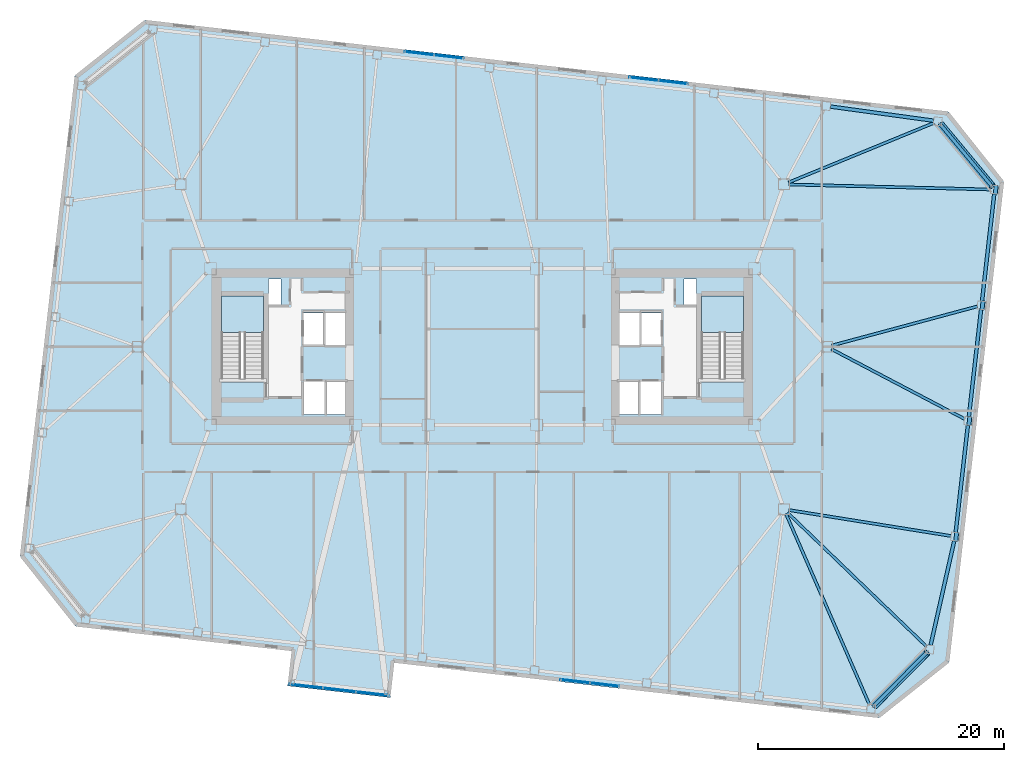
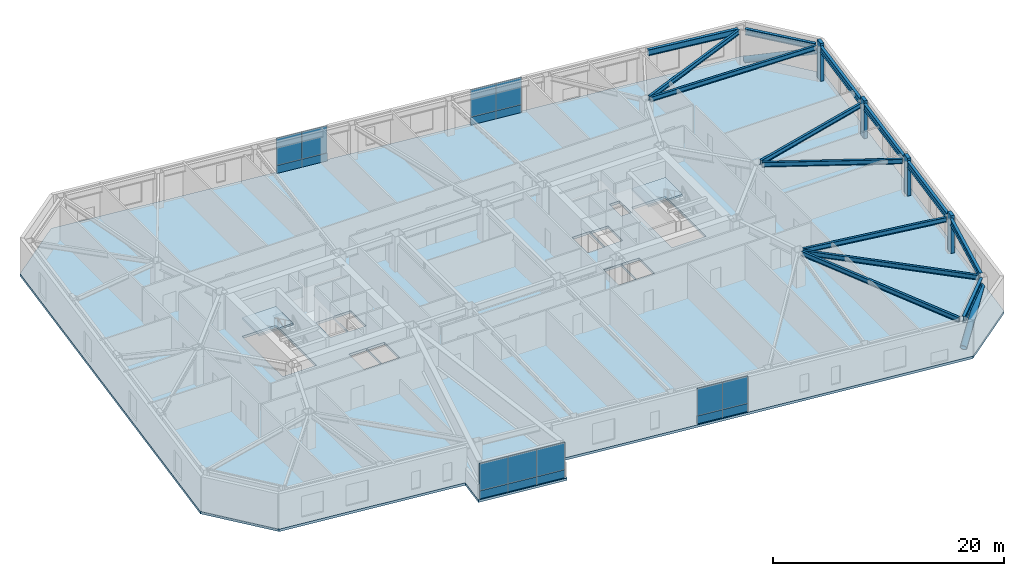
# One storey, part 11 of 22: 18 plates, 14 beams, 6 members, 3 slabs, 6 elements without a shape of their own.
"""IFC4 building model written with IfcOpenShell, lengths in metres."""

from ifc_helpers import new_model, si_unit, direction, frame, origin, origin_2d, place, context, subcontext, project, spatial, polyline, rectangle, hollow_circle, i_section, outline, extrude, material, layer, layer_set, material_profile, profile_set, type_object, element, aggregate, save


model = new_model("IFC4")

# Units and contexts
model_context = context("Model", 3, precision=1e-05, world=origin(), true_north=direction((0.0, 1.0)))
body_context = subcontext(model_context, "Body", "Model", "MODEL_VIEW")
ifc_project = project(units=[si_unit("LENGTHUNIT", "METRE"), si_unit("AREAUNIT", "SQUARE_METRE"), si_unit("VOLUMEUNIT", "CUBIC_METRE"), si_unit("PLANEANGLEUNIT", "RADIAN"), si_unit("MASSUNIT", "GRAM", prefix="KILO")], contexts=[model_context])

# Site, building, storey
site_placement = place(None, origin())
site = spatial("IfcSite", under=ifc_project, at=site_placement, CompositionType="ELEMENT")
building_placement = place(site_placement, origin())
building = spatial("IfcBuilding", under=site, at=building_placement, Name="Tavrogorsk Clinical Tower", CompositionType="ELEMENT")
storey_placement = place(building_placement, frame((0.0, 0.0, 93.39990234375)))
storey = spatial("IfcBuildingStorey", under=building, at=storey_placement, Name="L20", CompositionType="ELEMENT", Elevation=93.39990234375)

# Members
ifc_material_1 = material(Name="Structural steel S440", Category="steel")
ifc_material_profile_1 = material_profile(ifc_material_1, hollow_circle(Radius=0.304931640625, WallThickness=0.02490234375, at=origin_2d()), Name="CHS-610x25")
ifc_profile_set_1 = profile_set([ifc_material_profile_1], Name="Structural steel S440")
member_type_1 = type_object("IfcMemberType", Name="ExoBrace_CHS610", PredefinedType="BRACE", material=ifc_profile_set_1)
member_1_placement = place(storey_placement, frame((31.81640625, -29.1650390625, 0.4345703125), z_axis=(0.651430241483, 0.659222469252, 0.375585378463), x_axis=(-0.711298174517, 0.702890394677, 0.0)))
element("IfcMember", 1, at=member_1_placement, inside=storey, type_object=member_type_1, Name="L20 Corner Exoskeleton Brace S8-E1", PredefinedType="BRACE", context=body_context, shape_type="SweptSolid", body=[
    extrude(hollow_circle(Radius=0.304931640625, WallThickness=0.02490234375, at=origin_2d()), origin(), (0.0, 0.0, 1.0), 6.57958984375),
])
member_2_placement = place(storey_placement, frame((37.2109375, 18.06640625, 0.427001953125), z_axis=(0.598616328588, -0.718269947263, 0.354607915882), x_axis=(0.768190751014, 0.640221032189, 0.0)))
element("IfcMember", 2, at=member_2_placement, inside=storey, type_object=member_type_1, Name="L20 Corner Exoskeleton Brace E5-N1", PredefinedType="BRACE", context=body_context, shape_type="SweptSolid", body=[
    extrude(hollow_circle(Radius=0.304931640625, WallThickness=0.02490234375, at=origin_2d()), origin(), (0.0, 0.0, 1.0), 7.0107421875),
])

# Beams
ifc_material_2 = material(Name="Structural steel S355", Category="steel")
ifc_material_profile_2 = material_profile(ifc_material_2, i_section(OverallWidth=0.219970703125, OverallDepth=0.5, WebThickness=0.012939453125, FlangeThickness=0.02001953125, at=origin_2d()), Name="B-500x220x13x20")
ifc_profile_set_2 = profile_set([ifc_material_profile_2], Name="Structural steel S355")
beam_type_1 = type_object("IfcBeamType", Name="FloorBeam_B500", PredefinedType="BEAM", material=ifc_profile_set_2)
beam_1_placement = place(storey_placement, frame((24.664306640625, -13.57568359375, 3.489990234375), z_axis=(0.400586354613, -0.916259009504, 0.0), x_axis=(0.916259009504, 0.400586354613, 0.0)))
element("IfcBeam", 3, at=beam_1_placement, inside=storey, type_object=beam_type_1, Name="L20 Radial Floor Beam S8", PredefinedType="BEAM", context=body_context, shape_type="SweptSolid", body=[
    extrude(i_section(OverallWidth=0.219970703125, OverallDepth=0.5, WebThickness=0.012939453125, FlangeThickness=0.02001953125, at=origin_2d()), origin(), (0.0, 0.0, 1.0), 16.91357421875),
])
beam_2_placement = place(storey_placement, frame((24.87939453125, 13.35546875, 3.489990234375), z_axis=(0.925250223374, 0.379357383143, 0.0), x_axis=(-0.379357383143, 0.925250223374, 0.0)))
element("IfcBeam", 4, at=beam_2_placement, inside=storey, type_object=beam_type_1, Name="L20 Radial Floor Beam N1", PredefinedType="BEAM", context=body_context, shape_type="SweptSolid", body=[
    extrude(i_section(OverallWidth=0.219970703125, OverallDepth=0.5, WebThickness=0.012939453125, FlangeThickness=0.02001953125, at=origin_2d()), origin(), (0.0, 0.0, 1.0), 12.738037109375),
])
beam_3_placement = place(storey_placement, frame((24.79541015625, -13.484375, 3.489990234375), z_axis=(0.720494740362, -0.693460401977, 0.0), x_axis=(0.693460401977, 0.720494740362, 0.0)))
element("IfcBeam", 5, at=beam_3_placement, inside=storey, type_object=beam_type_1, Name="L20 Radial Floor Beam E1", PredefinedType="BEAM", context=body_context, shape_type="SweptSolid", body=[
    extrude(i_section(OverallWidth=0.219970703125, OverallDepth=0.5, WebThickness=0.012939453125, FlangeThickness=0.02001953125, at=origin_2d()), origin(), (0.0, 0.0, 1.0), 15.659423828125),
])
beam_4_placement = place(storey_placement, frame((24.90478515625, -13.2646484375, 3.489990234375), z_axis=(0.987456527754, -0.157891120067, 0.0), x_axis=(0.157891120067, 0.987456527754, 0.0)))
element("IfcBeam", 6, at=beam_4_placement, inside=storey, type_object=beam_type_1, Name="L20 Radial Floor Beam E2", PredefinedType="BEAM", context=body_context, shape_type="SweptSolid", body=[
    extrude(i_section(OverallWidth=0.219970703125, OverallDepth=0.5, WebThickness=0.012939453125, FlangeThickness=0.02001953125, at=origin_2d()), origin(), (0.0, 0.0, 1.0), 13.31787109375),
])
beam_5_placement = place(storey_placement, frame((28.363037109375, -0.1904296875, 3.489990234375), z_axis=(0.885467298335, -0.464701693111, 0.0), x_axis=(0.464701693111, 0.885467298335, 0.0)))
element("IfcBeam", 7, at=beam_5_placement, inside=storey, type_object=beam_type_1, Name="L20 Radial Floor Beam E3", PredefinedType="BEAM", context=body_context, shape_type="SweptSolid", body=[
    extrude(i_section(OverallWidth=0.219970703125, OverallDepth=0.5, WebThickness=0.012939453125, FlangeThickness=0.02001953125, at=origin_2d()), origin(), (0.0, 0.0, 1.0), 12.197021484375),
])
beam_6_placement = place(storey_placement, frame((28.39599609375, 0.1064453125, 3.489990234375), z_axis=(0.965705720144, 0.259639099677, 0.0), x_axis=(-0.259639099677, 0.965705720144, 0.0)))
element("IfcBeam", 8, at=beam_6_placement, inside=storey, type_object=beam_type_1, Name="L20 Radial Floor Beam E4", PredefinedType="BEAM", context=body_context, shape_type="SweptSolid", body=[
    extrude(i_section(OverallWidth=0.219970703125, OverallDepth=0.5, WebThickness=0.012939453125, FlangeThickness=0.02001953125, at=origin_2d()), origin(), (0.0, 0.0, 1.0), 12.228759765625),
])
beam_7_placement = place(storey_placement, frame((24.909912109375, 13.189697265625, 3.489990234375), z_axis=(0.999690121031, -0.024893009314, 0.0), x_axis=(0.024893009314, 0.999690121031, 0.0)))
element("IfcBeam", 9, at=beam_7_placement, inside=storey, type_object=beam_type_1, Name="L20 Radial Floor Beam E5", PredefinedType="BEAM", context=body_context, shape_type="SweptSolid", body=[
    extrude(i_section(OverallWidth=0.219970703125, OverallDepth=0.5, WebThickness=0.012939453125, FlangeThickness=0.02001953125, at=origin_2d()), origin(), (0.0, 0.0, 1.0), 16.359130859375),
])

# Members
ifc_material_3 = material(Name="Precast concrete B45 with limestone cladding", Category="masonry")
ifc_material_profile_3 = material_profile(ifc_material_3, rectangle(XDim=0.320068359375, YDim=0.719970703125, at=origin_2d()), Name="LIMESTONE-FIN-320x720")
ifc_profile_set_3 = profile_set([ifc_material_profile_3], Name="Precast concrete B45 with limestone cladding")
member_type_2 = type_object("IfcMemberType", Name="LimestonePleatFin_320x720", PredefinedType="USERDEFINED", material=ifc_profile_set_3)
for number, where, z_axis, x_axis, name in (
    (10, (38.48876953125, -15.432861328125, 0.0), (0.0, 0.0, 1.0), (0.993571855677, -0.113203213768, 0.0), "L20 E Pleated Stone Fin 1"),
    (11, (39.5595703125, -6.03369140625, 0.0), (0.0, 0.0, 1.0), (0.993571855677, -0.113203213768, 0.0), "L20 E Pleated Stone Fin 2"),
    (12, (40.63037109375, 3.365234375, 0.0), (0.0, 0.0, 1.0), (0.993571855677, -0.113203213768, 0.0), "L20 E Pleated Stone Fin 3"),
    (13, (41.701416015625, 12.7646484375, 0.0), (0.0, 0.0, 1.0), (0.993571855677, -0.113203213768, 0.0), "L20 E Pleated Stone Fin 4"),
):
    element("IfcMember", number, at=place(storey_placement, frame(where, z_axis=z_axis, x_axis=x_axis)), inside=storey, type_object=member_type_2, Name=name, ObjectType="FIN", PredefinedType="USERDEFINED", context=body_context, shape_type="SweptSolid", body=[
        extrude(rectangle(XDim=0.320068359375, YDim=0.719970703125, at=origin_2d()), origin(), (0.0, 0.0, 1.0), 4.0),
    ])

# Beams
ifc_material_4 = material(Name="Structural steel S390", Category="steel")
ifc_material_profile_4 = material_profile(ifc_material_4, i_section(OverallWidth=0.280029296875, OverallDepth=0.64990234375, WebThickness=0.01611328125, FlangeThickness=0.02490234375, at=origin_2d()), Name="B-650x280x16x25")
ifc_profile_set_4 = profile_set([ifc_material_profile_4], Name="Structural steel S390")
beam_type_2 = type_object("IfcBeamType", Name="SpandrelBeam_B650", PredefinedType="SPANDREL", material=ifc_profile_set_4)
beam_8_placement = place(storey_placement, frame((31.834716796875, -29.146240234375, 3.4150390625), z_axis=(0.702934929184, 0.711254163667, 0.0), x_axis=(-0.711254163667, 0.702934929184, 0.0)))
element("IfcBeam", 14, at=beam_8_placement, inside=storey, type_object=beam_type_2, Name="L20 Perimeter Spandrel S8-E1", PredefinedType="SPANDREL", context=body_context, shape_type="SweptSolid", body=[
    extrude(i_section(OverallWidth=0.280029296875, OverallDepth=0.64990234375, WebThickness=0.01611328125, FlangeThickness=0.02490234375, at=origin_2d()), origin(), (0.0, 0.0, 1.0), 6.04541015625),
])
beam_9_placement = place(storey_placement, frame((36.414794921875, -24.242431640625, 3.4150390625), z_axis=(0.220602599501, 0.975363774749, 0.0), x_axis=(-0.975363774749, 0.220602599501, 0.0)))
element("IfcBeam", 15, at=beam_9_placement, inside=storey, type_object=beam_type_2, Name="L20 Perimeter Spandrel E1-E2", PredefinedType="SPANDREL", context=body_context, shape_type="SweptSolid", body=[
    extrude(i_section(OverallWidth=0.280029296875, OverallDepth=0.64990234375, WebThickness=0.01611328125, FlangeThickness=0.02490234375, at=origin_2d()), origin(), (0.0, 0.0, 1.0), 8.68310546875),
])
for number, where, z_axis, x_axis, name in (
    (16, (38.44970703125, -15.068115234375, 3.4150390625), (0.113192226434, 0.993573107464, 0.0), (-0.993573107464, 0.113192226434, 0.0), "L20 Perimeter Spandrel E2-E3"),
    (17, (39.520751953125, -5.6689453125, 3.4150390625), (0.113192226434, 0.993573107464, 0.0), (-0.993573107464, 0.113192226434, 0.0), "L20 Perimeter Spandrel E3-E4"),
):
    element("IfcBeam", number, at=place(storey_placement, frame(where, z_axis=z_axis, x_axis=x_axis)), inside=storey, type_object=beam_type_2, Name=name, PredefinedType="SPANDREL", context=body_context, shape_type="SweptSolid", body=[
        extrude(i_section(OverallWidth=0.280029296875, OverallDepth=0.64990234375, WebThickness=0.01611328125, FlangeThickness=0.02490234375, at=origin_2d()), origin(), (0.0, 0.0, 1.0), 8.743896484375),
    ])
beam_10_placement = place(storey_placement, frame((40.591552734375, 3.72998046875, 3.4150390625), z_axis=(0.113189086379, 0.993573465188, 0.0), x_axis=(-0.993573465188, 0.113189086379, 0.0)))
element("IfcBeam", 18, at=beam_10_placement, inside=storey, type_object=beam_type_2, Name="L20 Perimeter Spandrel E4-E5", PredefinedType="SPANDREL", context=body_context, shape_type="SweptSolid", body=[
    extrude(i_section(OverallWidth=0.280029296875, OverallDepth=0.64990234375, WebThickness=0.01611328125, FlangeThickness=0.02490234375, at=origin_2d()), origin(), (0.0, 0.0, 1.0), 8.744140625),
])
beam_11_placement = place(storey_placement, frame((41.392578125, 13.048583984375, 3.4150390625), z_axis=(-0.640191778751, 0.768215130299, 0.0), x_axis=(-0.768215130299, -0.640191778751, 0.0)))
element("IfcBeam", 19, at=beam_11_placement, inside=storey, type_object=beam_type_2, Name="L20 Perimeter Spandrel E5-N1", PredefinedType="SPANDREL", context=body_context, shape_type="SweptSolid", body=[
    extrude(i_section(OverallWidth=0.280029296875, OverallDepth=0.64990234375, WebThickness=0.01611328125, FlangeThickness=0.02490234375, at=origin_2d()), origin(), (0.0, 0.0, 1.0), 6.508544921875),
])
beam_12_placement = place(storey_placement, frame((36.641845703125, 18.3720703125, 3.4150390625), z_axis=(-0.990722121657, 0.135903192232, 0.0), x_axis=(-0.135903192232, -0.990722121657, 0.0)))
element("IfcBeam", 20, at=beam_12_placement, inside=storey, type_object=beam_type_2, Name="L20 Perimeter Spandrel N1-N2", PredefinedType="SPANDREL", context=body_context, shape_type="SweptSolid", body=[
    extrude(i_section(OverallWidth=0.280029296875, OverallDepth=0.64990234375, WebThickness=0.01611328125, FlangeThickness=0.02490234375, at=origin_2d()), origin(), (0.0, 0.0, 1.0), 8.439697265625),
])

# Curtain wall, plates
ifc_material_5 = material(Name="Anodised aluminium and triple IGU glazing", Category="aluminium")
ifc_layer_1 = layer(ifc_material_5, 0.179931640625)
ifc_layer_set_1 = layer_set([ifc_layer_1], Name="Anodised aluminium and triple IGU glazing")
curtain_wall_type_1 = type_object("IfcCurtainWallType", Name="CW3_SouthSlot", PredefinedType="NOTDEFINED", material=ifc_layer_set_1)
curtain_wall_1_placement = place(storey_placement, origin())
curtain_wall_1 = element("IfcCurtainWall", 21, at=curtain_wall_1_placement, inside=storey, type_object=curtain_wall_type_1, Name="L20 Curtain Wall CW-L20-S-SLOT-2", PredefinedType="NOTDEFINED")
ifc_material_6 = material(Name="Honed Podolsk limestone spandrel panel", Category="masonry")
ifc_layer_2 = layer(ifc_material_6, 0.080078125)
ifc_layer_set_2 = layer_set([ifc_layer_2], Name="Honed Podolsk limestone spandrel panel")
plate_type_1 = type_object("IfcPlateType", Name="CwSpandrelStonePanel_80", PredefinedType="CURTAIN_PANEL", material=ifc_layer_set_2)
plate_1_placement = place(storey_placement, frame((7.52978515625, -27.173828125, 0.002197265625), z_axis=(0.0, 0.0, 1.0), x_axis=(0.993571858269, -0.113203191016, 0.0)))
plate_1 = element("IfcPlate", 22, at=plate_1_placement, type_object=plate_type_1, Name="CW-L20-S-SLOT-2 Stone Spandrel Panel 1", PredefinedType="CURTAIN_PANEL", context=body_context, shape_type="SweptSolid", body=[
    extrude(rectangle(XDim=2.39208984375, YDim=0.080078125, at=origin_2d()), origin(), (0.0, 0.0, 1.0), 0.8359375),
])
plate_2_placement = place(storey_placement, frame((9.93017578125, -27.447265625, 0.002197265625), z_axis=(0.0, 0.0, 1.0), x_axis=(0.993571858269, -0.113203191016, 0.0)))
plate_2 = element("IfcPlate", 23, at=plate_2_placement, type_object=plate_type_1, Name="CW-L20-S-SLOT-2 Stone Spandrel Panel 2", PredefinedType="CURTAIN_PANEL", context=body_context, shape_type="SweptSolid", body=[
    extrude(rectangle(XDim=2.39208984375, YDim=0.080078125, at=origin_2d()), origin(), (0.0, 0.0, 1.0), 0.8359375),
])

ifc_material_7 = material(Name="Anodised aluminium and triple IGU glazing", Category="aluminium")
ifc_layer_3 = layer(ifc_material_7, 0.179931640625)
ifc_layer_set_3 = layer_set([ifc_layer_3], Name="Anodised aluminium and triple IGU glazing")
curtain_wall_type_2 = type_object("IfcCurtainWallType", Name="CW2_NorthSlot", PredefinedType="NOTDEFINED", material=ifc_layer_set_3)
curtain_wall_2_placement = place(storey_placement, origin())
curtain_wall_2 = element("IfcCurtainWall", 24, at=curtain_wall_2_placement, inside=storey, type_object=curtain_wall_type_2, Name="L20 Curtain Wall CW-L20-N-SLOT-1", PredefinedType="NOTDEFINED")
plate_3_placement = place(storey_placement, frame((-2.729736328125, 23.57373046875, 0.002197265625), z_axis=(0.0, 0.0, 1.0), x_axis=(-0.993571858269, 0.113203191016, 0.0)))
plate_3 = element("IfcPlate", 25, at=plate_3_placement, type_object=plate_type_1, Name="CW-L20-N-SLOT-1 Stone Spandrel Panel 1", PredefinedType="CURTAIN_PANEL", context=body_context, shape_type="SweptSolid", body=[
    extrude(rectangle(XDim=2.39208984375, YDim=0.080078125, at=origin_2d()), origin(), (0.0, 0.0, 1.0), 0.8359375),
])
plate_4_placement = place(storey_placement, frame((-5.130126953125, 23.847412109375, 0.002197265625), z_axis=(0.0, 0.0, 1.0), x_axis=(-0.993571858269, 0.113203191016, 0.0)))
plate_4 = element("IfcPlate", 26, at=plate_4_placement, type_object=plate_type_1, Name="CW-L20-N-SLOT-1 Stone Spandrel Panel 2", PredefinedType="CURTAIN_PANEL", context=body_context, shape_type="SweptSolid", body=[
    extrude(rectangle(XDim=2.39208984375, YDim=0.080078125, at=origin_2d()), origin(), (0.0, 0.0, 1.0), 0.8359375),
])

curtain_wall_3_placement = place(storey_placement, origin())
curtain_wall_3 = element("IfcCurtainWall", 27, at=curtain_wall_3_placement, inside=storey, type_object=curtain_wall_type_2, Name="L20 Curtain Wall CW-L20-N-SLOT-2", PredefinedType="NOTDEFINED")
plate_5_placement = place(storey_placement, frame((15.506591796875, 21.49609375, 0.002197265625), z_axis=(0.0, 0.0, 1.0), x_axis=(-0.993571855603, 0.11320321441, 0.0)))
plate_5 = element("IfcPlate", 28, at=plate_5_placement, type_object=plate_type_1, Name="CW-L20-N-SLOT-2 Stone Spandrel Panel 1", PredefinedType="CURTAIN_PANEL", context=body_context, shape_type="SweptSolid", body=[
    extrude(rectangle(XDim=2.39208984375, YDim=0.080078125, at=origin_2d()), origin(), (0.0, 0.0, 1.0), 0.8359375),
])
plate_6_placement = place(storey_placement, frame((13.106201171875, 21.76953125, 0.002197265625), z_axis=(0.0, 0.0, 1.0), x_axis=(-0.993571855603, 0.11320321441, 0.0)))
plate_6 = element("IfcPlate", 29, at=plate_6_placement, type_object=plate_type_1, Name="CW-L20-N-SLOT-2 Stone Spandrel Panel 2", PredefinedType="CURTAIN_PANEL", context=body_context, shape_type="SweptSolid", body=[
    extrude(rectangle(XDim=2.39208984375, YDim=0.080078125, at=origin_2d()), origin(), (0.0, 0.0, 1.0), 0.8359375),
])

ifc_material_8 = material(Name="Anodised aluminium and triple IGU glazing", Category="aluminium")
ifc_layer_4 = layer(ifc_material_8, 0.179931640625)
ifc_layer_set_4 = layer_set([ifc_layer_4], Name="Anodised aluminium and triple IGU glazing")
curtain_wall_type_3 = type_object("IfcCurtainWallType", Name="CW4_DayroomBox", PredefinedType="NOTDEFINED", material=ifc_layer_set_4)
curtain_wall_4_placement = place(storey_placement, origin())
curtain_wall_4 = element("IfcCurtainWall", 30, at=curtain_wall_4_placement, inside=storey, type_object=curtain_wall_type_3, Name="L20 Curtain Wall CW-DRB-03-L20", PredefinedType="NOTDEFINED")
plate_7_placement = place(storey_placement, frame((-14.3310546875, -27.57177734375, 0.002197265625), z_axis=(0.0, 0.0, 1.0), x_axis=(0.993571856066, -0.113203210352, 0.0)))
plate_7 = element("IfcPlate", 31, at=plate_7_placement, type_object=plate_type_1, Name="CW-DRB-03-L20 Stone Spandrel Panel 1", PredefinedType="CURTAIN_PANEL", context=body_context, shape_type="SweptSolid", body=[
    extrude(rectangle(XDim=2.68798828125, YDim=0.080078125, at=origin_2d()), origin(), (0.0, 0.0, 1.0), 0.8359375),
])
plate_8_placement = place(storey_placement, frame((-11.642333984375, -27.8779296875, 0.002197265625), z_axis=(0.0, 0.0, 1.0), x_axis=(0.993571856066, -0.113203210352, 0.0)))
plate_8 = element("IfcPlate", 32, at=plate_8_placement, type_object=plate_type_1, Name="CW-DRB-03-L20 Stone Spandrel Panel 2", PredefinedType="CURTAIN_PANEL", context=body_context, shape_type="SweptSolid", body=[
    extrude(rectangle(XDim=2.676025390625, YDim=0.080078125, at=origin_2d()), origin(), (0.0, 0.0, 1.0), 0.8359375),
])
plate_9_placement = place(storey_placement, frame((-8.953857421875, -28.184326171875, 0.002197265625), z_axis=(0.0, 0.0, 1.0), x_axis=(0.993571856066, -0.113203210352, 0.0)))
plate_9 = element("IfcPlate", 33, at=plate_9_placement, type_object=plate_type_1, Name="CW-DRB-03-L20 Stone Spandrel Panel 3", PredefinedType="CURTAIN_PANEL", context=body_context, shape_type="SweptSolid", body=[
    extrude(rectangle(XDim=2.68798828125, YDim=0.080078125, at=origin_2d()), origin(), (0.0, 0.0, 1.0), 0.8359375),
])

# Plate
ifc_material_9 = material(Name="Triple low-E argon insulated glass", Category="glass")
ifc_layer_5 = layer(ifc_material_9, 0.048095703125)
ifc_layer_set_5 = layer_set([ifc_layer_5], Name="Triple low-E argon insulated glass")
plate_type_2 = type_object("IfcPlateType", Name="CwVisionGlassPanel_48", PredefinedType="CURTAIN_PANEL", material=ifc_layer_set_5)
plate_10_placement = place(storey_placement, frame((7.52978515625, -27.173828125, 0.862060546875), z_axis=(0.0, 0.0, 1.0), x_axis=(0.993571858269, -0.113203191016, 0.0)))
plate_10 = element("IfcPlate", 34, at=plate_10_placement, type_object=plate_type_2, Name="CW-L20-S-SLOT-2 Glazing Panel 1", PredefinedType="CURTAIN_PANEL", context=body_context, shape_type="SweptSolid", body=[
    extrude(rectangle(XDim=2.39208984375, YDim=0.048095703125, at=origin_2d()), origin(), (0.0, 0.0, 1.0), 2.8759765625),
])

plate_11_placement = place(storey_placement, frame((9.93017578125, -27.447265625, 0.862060546875), z_axis=(0.0, 0.0, 1.0), x_axis=(0.993571858269, -0.113203191016, 0.0)))
plate_11 = element("IfcPlate", 35, at=plate_11_placement, type_object=plate_type_2, Name="CW-L20-S-SLOT-2 Glazing Panel 2", PredefinedType="CURTAIN_PANEL", context=body_context, shape_type="SweptSolid", body=[
    extrude(rectangle(XDim=2.39208984375, YDim=0.048095703125, at=origin_2d()), origin(), (0.0, 0.0, 1.0), 2.8759765625),
])

aggregate(curtain_wall_1, [plate_1, plate_10, plate_2, plate_11])

plate_12_placement = place(storey_placement, frame((-2.729736328125, 23.57373046875, 0.862060546875), z_axis=(0.0, 0.0, 1.0), x_axis=(-0.993571858269, 0.113203191016, 0.0)))
plate_12 = element("IfcPlate", 36, at=plate_12_placement, type_object=plate_type_2, Name="CW-L20-N-SLOT-1 Glazing Panel 1", PredefinedType="CURTAIN_PANEL", context=body_context, shape_type="SweptSolid", body=[
    extrude(rectangle(XDim=2.39208984375, YDim=0.048095703125, at=origin_2d()), origin(), (0.0, 0.0, 1.0), 2.8759765625),
])

plate_13_placement = place(storey_placement, frame((-5.130126953125, 23.847412109375, 0.862060546875), z_axis=(0.0, 0.0, 1.0), x_axis=(-0.993571858269, 0.113203191016, 0.0)))
plate_13 = element("IfcPlate", 37, at=plate_13_placement, type_object=plate_type_2, Name="CW-L20-N-SLOT-1 Glazing Panel 2", PredefinedType="CURTAIN_PANEL", context=body_context, shape_type="SweptSolid", body=[
    extrude(rectangle(XDim=2.39208984375, YDim=0.048095703125, at=origin_2d()), origin(), (0.0, 0.0, 1.0), 2.8759765625),
])

aggregate(curtain_wall_2, [plate_3, plate_12, plate_4, plate_13])

plate_14_placement = place(storey_placement, frame((15.506591796875, 21.49609375, 0.862060546875), z_axis=(0.0, 0.0, 1.0), x_axis=(-0.993571855603, 0.11320321441, 0.0)))
plate_14 = element("IfcPlate", 38, at=plate_14_placement, type_object=plate_type_2, Name="CW-L20-N-SLOT-2 Glazing Panel 1", PredefinedType="CURTAIN_PANEL", context=body_context, shape_type="SweptSolid", body=[
    extrude(rectangle(XDim=2.39208984375, YDim=0.048095703125, at=origin_2d()), origin(), (0.0, 0.0, 1.0), 2.8759765625),
])

plate_15_placement = place(storey_placement, frame((13.106201171875, 21.76953125, 0.862060546875), z_axis=(0.0, 0.0, 1.0), x_axis=(-0.993571855603, 0.11320321441, 0.0)))
plate_15 = element("IfcPlate", 39, at=plate_15_placement, type_object=plate_type_2, Name="CW-L20-N-SLOT-2 Glazing Panel 2", PredefinedType="CURTAIN_PANEL", context=body_context, shape_type="SweptSolid", body=[
    extrude(rectangle(XDim=2.39208984375, YDim=0.048095703125, at=origin_2d()), origin(), (0.0, 0.0, 1.0), 2.8759765625),
])

aggregate(curtain_wall_3, [plate_5, plate_14, plate_6, plate_15])

plate_16_placement = place(storey_placement, frame((-14.3310546875, -27.57177734375, 0.862060546875), z_axis=(0.0, 0.0, 1.0), x_axis=(0.993571856066, -0.113203210352, 0.0)))
plate_16 = element("IfcPlate", 40, at=plate_16_placement, type_object=plate_type_2, Name="CW-DRB-03-L20 Glazing Panel 1", PredefinedType="CURTAIN_PANEL", context=body_context, shape_type="SweptSolid", body=[
    extrude(rectangle(XDim=2.68798828125, YDim=0.048095703125, at=origin_2d()), origin(), (0.0, 0.0, 1.0), 2.8759765625),
])

plate_17_placement = place(storey_placement, frame((-11.642333984375, -27.8779296875, 0.862060546875), z_axis=(0.0, 0.0, 1.0), x_axis=(0.993571856066, -0.113203210352, 0.0)))
plate_17 = element("IfcPlate", 41, at=plate_17_placement, type_object=plate_type_2, Name="CW-DRB-03-L20 Glazing Panel 2", PredefinedType="CURTAIN_PANEL", context=body_context, shape_type="SweptSolid", body=[
    extrude(rectangle(XDim=2.676025390625, YDim=0.048095703125, at=origin_2d()), origin(), (0.0, 0.0, 1.0), 2.8759765625),
])

plate_18_placement = place(storey_placement, frame((-8.953857421875, -28.184326171875, 0.862060546875), z_axis=(0.0, 0.0, 1.0), x_axis=(0.993571856066, -0.113203210352, 0.0)))
plate_18 = element("IfcPlate", 42, at=plate_18_placement, type_object=plate_type_2, Name="CW-DRB-03-L20 Glazing Panel 3", PredefinedType="CURTAIN_PANEL", context=body_context, shape_type="SweptSolid", body=[
    extrude(rectangle(XDim=2.68798828125, YDim=0.048095703125, at=origin_2d()), origin(), (0.0, 0.0, 1.0), 2.8759765625),
])

aggregate(curtain_wall_4, [plate_7, plate_16, plate_8, plate_17, plate_9, plate_18])

# Stair, slab
ifc_material_10 = material(Name="Concrete B60", Category="concrete")
stair_type = type_object("IfcStairType", Name="CoreStairAssembly", PredefinedType="HALF_TURN_STAIR", material=ifc_material_10)
stair_1_placement = place(storey_placement, origin())
stair_1 = element("IfcStair", 43, at=stair_1_placement, inside=storey, type_object=stair_type, Name="L20 ST-W", PredefinedType="HALF_TURN_STAIR")
ifc_material_11 = material(Name="Concrete B60", Category="concrete")
ifc_layer_6 = layer(ifc_material_11, 0.199951171875)
ifc_layer_set_6 = layer_set([ifc_layer_6], Name="Concrete B60")
slab_type_1 = type_object("IfcSlabType", Name="StairLanding_200", PredefinedType="LANDING", material=ifc_layer_set_6)
slab_1_placement = place(storey_placement, frame((0.0, 0.0, 1.800048828125)))
slab_1 = element("IfcSlab", 44, at=slab_1_placement, type_object=slab_type_1, Name="ST-W landing 1", PredefinedType="LANDING", context=body_context, shape_type="SweptSolid", body=[
    extrude(outline(polyline([(-17.800048828125, 1.1650390625), (-17.800048828125, 4.125), (-21.199951171875, 4.125), (-21.199951171875, 1.1650390625), (-17.800048828125, 1.1650390625)])), origin(), (0.0, 0.0, 1.0), 0.199951171875),
])
aggregate(stair_1, [slab_1])

stair_2_placement = place(storey_placement, origin())
stair_2 = element("IfcStair", 45, at=stair_2_placement, inside=storey, type_object=stair_type, Name="L20 ST-E", PredefinedType="HALF_TURN_STAIR")
slab_2_placement = place(storey_placement, frame((0.0, 0.0, 1.800048828125)))
slab_2 = element("IfcSlab", 46, at=slab_2_placement, type_object=slab_type_1, Name="ST-E landing 1", PredefinedType="LANDING", context=body_context, shape_type="SweptSolid", body=[
    extrude(outline(polyline([(21.199951171875, 1.1650390625), (21.199951171875, 4.125), (17.800048828125, 4.125), (17.800048828125, 1.1650390625), (21.199951171875, 1.1650390625)])), origin(), (0.0, 0.0, 1.0), 0.199951171875),
])
aggregate(stair_2, [slab_2])

# Slab
ifc_material_12 = material(Name="Concrete B60", Category="concrete")
ifc_layer_7 = layer(ifc_material_12, 0.260009765625)
ifc_layer_set_7 = layer_set([ifc_layer_7], Name="Concrete B60")
slab_type_2 = type_object("IfcSlabType", Name="WardSlab_260", PredefinedType="FLOOR", material=ifc_layer_set_7)
slab_3_placement = place(storey_placement, frame((0.0, 0.0, -0.260009765625)))
element("IfcSlab", 47, at=slab_3_placement, inside=storey, type_object=slab_type_2, Name="L20 Structural Slab", PredefinedType="FLOOR", context=body_context, shape_type="SweptSolid", body=[
    extrude(outline(polyline([(-32.99658203125, -22.7275390625), (-37.574462890625, -16.972412109375), (-33.136962890625, 21.9755859375), (-27.381591796875, 26.5537109375), (37.796630859375, 19.12744140625), (42.37451171875, 13.372314453125), (37.93701171875, -25.57568359375), (32.181640625, -30.153564453125), (-7.163818359375, -25.6708984375), (-7.486328125, -28.50244140625), (-15.83251953125, -27.551513671875), (-15.509765625, -24.719970703125), (-32.99658203125, -22.7275390625)]), holes=[polyline([(-17.800048828125, -2.8798828125), (-17.800048828125, 4.125), (-21.199951171875, 4.125), (-21.199951171875, -2.8798828125), (-17.800048828125, -2.8798828125)]), polyline([(21.199951171875, -2.8798828125), (21.199951171875, 4.125), (17.800048828125, 4.125), (17.800048828125, -2.8798828125), (21.199951171875, -2.8798828125)]), polyline([(-14.6201171875, 0.169921875), (-12.860107421875, 0.169921875), (-12.860107421875, 2.72998046875), (-14.6201171875, 2.72998046875), (-14.6201171875, 0.169921875)]), polyline([(-14.530029296875, -5.47998046875), (-12.77001953125, -5.47998046875), (-12.77001953125, -2.820068359375), (-14.530029296875, -2.820068359375), (-14.530029296875, -5.47998046875)]), polyline([(-12.72998046875, -5.47998046875), (-10.969970703125, -5.47998046875), (-10.969970703125, -2.820068359375), (-12.72998046875, -2.820068359375), (-12.72998046875, -5.47998046875)]), polyline([(-12.840087890625, 0.1201171875), (-11.080078125, 0.1201171875), (-11.080078125, 2.780029296875), (-12.840087890625, 2.780029296875), (-12.840087890625, 0.1201171875)]), polyline([(12.860107421875, 0.169921875), (14.6201171875, 0.169921875), (14.6201171875, 2.72998046875), (12.860107421875, 2.72998046875), (12.860107421875, 0.169921875)]), polyline([(12.77001953125, -5.47998046875), (14.530029296875, -5.47998046875), (14.530029296875, -2.820068359375), (12.77001953125, -2.820068359375), (12.77001953125, -5.47998046875)]), polyline([(10.969970703125, -5.47998046875), (12.72998046875, -5.47998046875), (12.72998046875, -2.820068359375), (10.969970703125, -2.820068359375), (10.969970703125, -5.47998046875)]), polyline([(11.080078125, 0.1201171875), (12.840087890625, 0.1201171875), (12.840087890625, 2.780029296875), (11.080078125, 2.780029296875), (11.080078125, 0.1201171875)]), polyline([(-17.3798828125, 3.449951171875), (-16.3798828125, 3.449951171875), (-16.3798828125, 5.5), (-17.3798828125, 5.5), (-17.3798828125, 3.449951171875)]), polyline([(16.3798828125, 3.449951171875), (17.3798828125, 3.449951171875), (17.3798828125, 5.5), (16.3798828125, 5.5), (16.3798828125, 3.449951171875)])]), origin(), (0.0, 0.0, 1.0), 0.260009765625),
])

save(model, "model.ifc")
